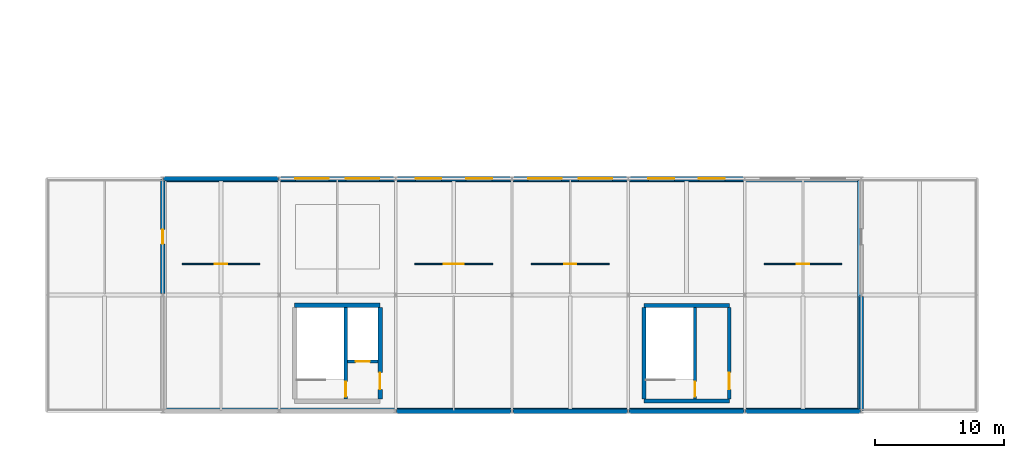
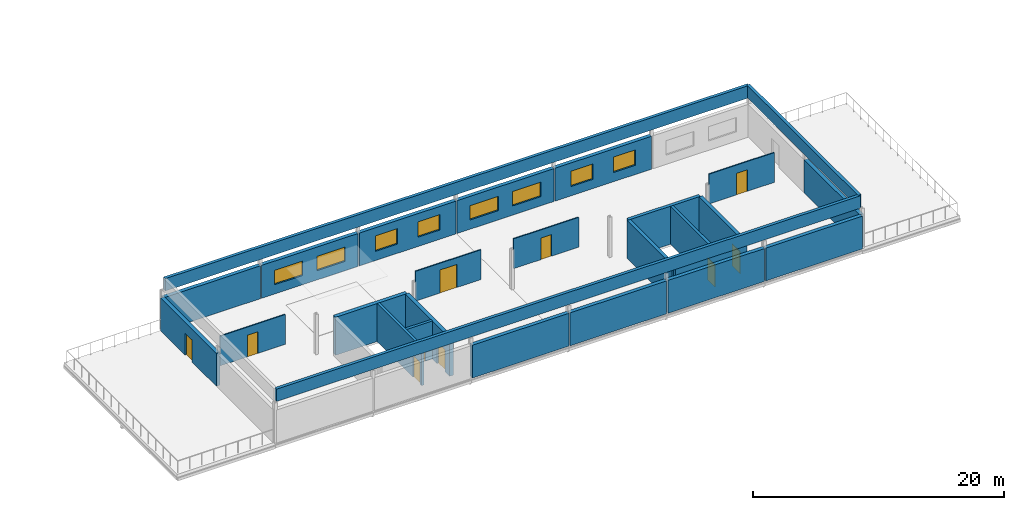
# One storey, part 9 of 18: 27 walls, 10 doors, 8 windows, 18 openings.
"""IFC4 building model written with IfcOpenShell, lengths in metres."""

from ifc_helpers import new_model, si_unit, direction, frame, frame_2d, origin, place, context, subcontext, project, spatial, rectangle, extrude, material, layer, layer_set, type_object, element, fill, save


model = new_model("IFC4")

# Units and contexts
model_context = context("Model", 3, precision=1e-05, world=origin(), true_north=direction((0.0, 1.0)))
body_context = subcontext(model_context, "Body", "Model", "MODEL_VIEW")
ifc_project = project(units=[si_unit("LENGTHUNIT", "METRE"), si_unit("AREAUNIT", "SQUARE_METRE"), si_unit("VOLUMEUNIT", "CUBIC_METRE"), si_unit("PLANEANGLEUNIT", "RADIAN"), si_unit("MASSUNIT", "GRAM", prefix="KILO")], contexts=[model_context])

# Site, building, storey
site_placement = place(None, origin())
site = spatial("IfcSite", under=ifc_project, at=site_placement, CompositionType="ELEMENT")
building_placement = place(site_placement, origin())
building = spatial("IfcBuilding", under=site, at=building_placement, Name="Kildeholm Park Wholesale Market", CompositionType="ELEMENT")
storey_placement = place(building_placement, frame((0.0, 0.0, 13.5)))
storey = spatial("IfcBuildingStorey", under=building, at=storey_placement, Name="L03", CompositionType="ELEMENT", Elevation=13.5)

# Walls
ifc_material_1 = material(Name="Precast concrete C40/50 architectural rainscreen wall", Category="concrete")
ifc_layer_1 = layer(ifc_material_1, 0.340087890625)
ifc_layer_set_1 = layer_set([ifc_layer_1], Name="Precast concrete C40/50 architectural rainscreen wall")
wall_type_1 = type_object("IfcWallType", Name="Exterior wall W-EX4 340 mm", PredefinedType="SOLIDWALL", material=ifc_layer_set_1)
for number, where, z_axis, x_axis, name in (
    (1, (36.06005859375, 0.0, 0.0), (0.0, 0.0, 1.0), (1.0, 0.0, 0.0), "Exterior wall V5W-L03-S03.1 WL-0553"),
    (2, (45.06005859375, 0.0, 0.0), (0.0, 0.0, 1.0), (1.0, 0.0, 0.0), "Exterior wall V5W-L03-S04.1 WL-0554"),
    (3, (54.06005859375, 0.0, 0.0), (0.0, 0.0, 1.0), (1.0, 0.0, 0.0), "Exterior wall V5W-L03-S05.1 WL-0555"),
    (4, (63.06005859375, 0.0, 0.0), (0.0, 0.0, 1.0), (1.0, 0.0, 0.0), "Exterior wall V5W-L03-S06.1 WL-0556"),
    (5, (18.06005859375, 18.0, 0.0), (0.0, 0.0, 1.0), (1.0, 0.0, 0.0), "Exterior wall V5W-L03-N.1 WL-0557"),
):
    element("IfcWall", number, at=place(storey_placement, frame(where, z_axis=z_axis, x_axis=x_axis)), inside=storey, type_object=wall_type_1, Name=name, PredefinedType="SOLIDWALL", context=body_context, shape_type="SweptSolid", body=[
        extrude(rectangle(XDim=8.8798828125, YDim=0.340087890625, at=frame_2d((4.43994140625, 0.0))), origin(), (0.0, 0.0, 1.0), 3.199951171875),
    ])

# Wall, openings, windows
wall_1_placement = place(storey_placement, frame((27.06005859375, 18.0, 0.0), z_axis=(0.0, 0.0, 1.0), x_axis=(1.0, 0.0, 0.0)))
wall_1 = element("IfcWall", 6, at=wall_1_placement, inside=storey, type_object=wall_type_1, Name="Exterior wall V5W-L03-N.2 WL-0558", PredefinedType="SOLIDWALL", context=body_context, shape_type="SweptSolid", body=[
    extrude(rectangle(XDim=8.8798828125, YDim=0.340087890625, at=frame_2d((4.43994140625, 0.0))), origin(), (0.0, 0.0, 1.0), 3.199951171875),
])
opening_1_placement = place(wall_1_placement, frame((1.18603515625, 0.0, 0.89990234375)))
opening_1 = element("IfcOpeningElement", 7, at=opening_1_placement, cuts=wall_1, Name="Opening WN-13", PredefinedType="OPENING", context=body_context, shape_type="SweptSolid", body=[
    extrude(rectangle(XDim=2.60009765625, YDim=1.39990234375, at=frame_2d((1.300048828125, 0.699951171875))), frame((0.0, 0.179931640625, 0.0), z_axis=(0.0, -1.0, 0.0), x_axis=(1.0, 0.0, 0.0)), (0.0, 0.0, 1.0), 0.360107421875),
])
opening_2_placement = place(wall_1_placement, frame((5.093994140625, 0.0, 0.89990234375)))
opening_2 = element("IfcOpeningElement", 8, at=opening_2_placement, cuts=wall_1, Name="Opening WN-13", PredefinedType="OPENING", context=body_context, shape_type="SweptSolid", body=[
    extrude(rectangle(XDim=2.60009765625, YDim=1.39990234375, at=frame_2d((1.300048828125, 0.699951171875))), frame((0.0, 0.179931640625, 0.0), z_axis=(0.0, -1.0, 0.0), x_axis=(1.0, 0.0, 0.0)), (0.0, 0.0, 1.0), 0.360107421875),
])
ifc_material_2 = material(Name="Thermally broken aluminium and triple-glazed low-E glass", Category="aluminium")
window_type_1 = type_object("IfcWindowType", Name="Window WN-13 2600x1400", PartitioningType="TRIPLE_PANEL_VERTICAL", PredefinedType="WINDOW", material=ifc_material_2)
window_1_placement = place(opening_1_placement, origin())
window_1 = element("IfcWindow", 9, at=window_1_placement, inside=storey, type_object=window_type_1, Name="Window V5W-L03-N.2.1 WIN-0339", OverallHeight=1.39990234375, OverallWidth=2.60009765625, PartitioningType="SINGLE_PANEL", PredefinedType="WINDOW", context=body_context, shape_type="SweptSolid", body=[
    extrude(rectangle(XDim=2.60009765625, YDim=1.39990234375, at=frame_2d((1.300048828125, 0.699951171875))), frame((0.0, 0.030029296875, 0.0), z_axis=(0.0, -1.0, 0.0), x_axis=(1.0, 0.0, 0.0)), (0.0, 0.0, 1.0), 0.06005859375),
])
fill(opening_1, window_1)
window_2_placement = place(opening_2_placement, origin())
window_2 = element("IfcWindow", 10, at=window_2_placement, inside=storey, type_object=window_type_1, Name="Window V5W-L03-N.2.2 WIN-0340", OverallHeight=1.39990234375, OverallWidth=2.60009765625, PartitioningType="SINGLE_PANEL", PredefinedType="WINDOW", context=body_context, shape_type="SweptSolid", body=[
    extrude(rectangle(XDim=2.60009765625, YDim=1.39990234375, at=frame_2d((1.300048828125, 0.699951171875))), frame((0.0, 0.030029296875, 0.0), z_axis=(0.0, -1.0, 0.0), x_axis=(1.0, 0.0, 0.0)), (0.0, 0.0, 1.0), 0.06005859375),
])
fill(opening_2, window_2)

wall_2_placement = place(storey_placement, frame((36.06005859375, 18.0, 0.0), z_axis=(0.0, 0.0, 1.0), x_axis=(1.0, 0.0, 0.0)))
wall_2 = element("IfcWall", 11, at=wall_2_placement, inside=storey, type_object=wall_type_1, Name="Exterior wall V5W-L03-N.3 WL-0559", PredefinedType="SOLIDWALL", context=body_context, shape_type="SweptSolid", body=[
    extrude(rectangle(XDim=8.8798828125, YDim=0.340087890625, at=frame_2d((4.43994140625, 0.0))), origin(), (0.0, 0.0, 1.0), 3.199951171875),
])
opening_3_placement = place(wall_2_placement, frame((1.486083984375, 0.0, 0.89990234375)))
opening_3 = element("IfcOpeningElement", 12, at=opening_3_placement, cuts=wall_2, Name="Opening WN-12", PredefinedType="OPENING", context=body_context, shape_type="SweptSolid", body=[
    extrude(rectangle(XDim=2.0, YDim=1.5, at=frame_2d((1.0, 0.75))), frame((0.0, 0.179931640625, 0.0), z_axis=(0.0, -1.0, 0.0), x_axis=(1.0, 0.0, 0.0)), (0.0, 0.0, 1.0), 0.360107421875),
])
opening_4_placement = place(wall_2_placement, frame((5.39404296875, 0.0, 0.89990234375)))
opening_4 = element("IfcOpeningElement", 13, at=opening_4_placement, cuts=wall_2, Name="Opening WN-12", PredefinedType="OPENING", context=body_context, shape_type="SweptSolid", body=[
    extrude(rectangle(XDim=2.0, YDim=1.5, at=frame_2d((1.0, 0.75))), frame((0.0, 0.179931640625, 0.0), z_axis=(0.0, -1.0, 0.0), x_axis=(1.0, 0.0, 0.0)), (0.0, 0.0, 1.0), 0.360107421875),
])
window_type_2 = type_object("IfcWindowType", Name="Window WN-12 2000x1500", PartitioningType="DOUBLE_PANEL_VERTICAL", PredefinedType="WINDOW", material=ifc_material_2)
window_3_placement = place(opening_3_placement, origin())
window_3 = element("IfcWindow", 14, at=window_3_placement, inside=storey, type_object=window_type_2, Name="Window V5W-L03-N.3.1 WIN-0341", OverallHeight=1.5, OverallWidth=2.0, PartitioningType="SINGLE_PANEL", PredefinedType="WINDOW", context=body_context, shape_type="SweptSolid", body=[
    extrude(rectangle(XDim=2.0, YDim=1.5, at=frame_2d((1.0, 0.75))), frame((0.0, 0.030029296875, 0.0), z_axis=(0.0, -1.0, 0.0), x_axis=(1.0, 0.0, 0.0)), (0.0, 0.0, 1.0), 0.06005859375),
])
fill(opening_3, window_3)
window_4_placement = place(opening_4_placement, origin())
window_4 = element("IfcWindow", 15, at=window_4_placement, inside=storey, type_object=window_type_2, Name="Window V5W-L03-N.3.2 WIN-0342", OverallHeight=1.5, OverallWidth=2.0, PartitioningType="SINGLE_PANEL", PredefinedType="WINDOW", context=body_context, shape_type="SweptSolid", body=[
    extrude(rectangle(XDim=2.0, YDim=1.5, at=frame_2d((1.0, 0.75))), frame((0.0, 0.030029296875, 0.0), z_axis=(0.0, -1.0, 0.0), x_axis=(1.0, 0.0, 0.0)), (0.0, 0.0, 1.0), 0.06005859375),
])
fill(opening_4, window_4)

wall_3_placement = place(storey_placement, frame((45.06005859375, 18.0, 0.0), z_axis=(0.0, 0.0, 1.0), x_axis=(1.0, 0.0, 0.0)))
wall_3 = element("IfcWall", 16, at=wall_3_placement, inside=storey, type_object=wall_type_1, Name="Exterior wall V5W-L03-N.4 WL-0560", PredefinedType="SOLIDWALL", context=body_context, shape_type="SweptSolid", body=[
    extrude(rectangle(XDim=8.8798828125, YDim=0.340087890625, at=frame_2d((4.43994140625, 0.0))), origin(), (0.0, 0.0, 1.0), 3.199951171875),
])
opening_5_placement = place(wall_3_placement, frame((1.18603515625, 0.0, 0.89990234375)))
opening_5 = element("IfcOpeningElement", 17, at=opening_5_placement, cuts=wall_3, Name="Opening WN-13", PredefinedType="OPENING", context=body_context, shape_type="SweptSolid", body=[
    extrude(rectangle(XDim=2.60009765625, YDim=1.39990234375, at=frame_2d((1.300048828125, 0.699951171875))), frame((0.0, 0.179931640625, 0.0), z_axis=(0.0, -1.0, 0.0), x_axis=(1.0, 0.0, 0.0)), (0.0, 0.0, 1.0), 0.360107421875),
])
opening_6_placement = place(wall_3_placement, frame((5.093994140625, 0.0, 0.89990234375)))
opening_6 = element("IfcOpeningElement", 18, at=opening_6_placement, cuts=wall_3, Name="Opening WN-13", PredefinedType="OPENING", context=body_context, shape_type="SweptSolid", body=[
    extrude(rectangle(XDim=2.60009765625, YDim=1.39990234375, at=frame_2d((1.300048828125, 0.699951171875))), frame((0.0, 0.179931640625, 0.0), z_axis=(0.0, -1.0, 0.0), x_axis=(1.0, 0.0, 0.0)), (0.0, 0.0, 1.0), 0.360107421875),
])
window_5_placement = place(opening_5_placement, origin())
window_5 = element("IfcWindow", 19, at=window_5_placement, inside=storey, type_object=window_type_1, Name="Window V5W-L03-N.4.1 WIN-0343", OverallHeight=1.39990234375, OverallWidth=2.60009765625, PartitioningType="SINGLE_PANEL", PredefinedType="WINDOW", context=body_context, shape_type="SweptSolid", body=[
    extrude(rectangle(XDim=2.60009765625, YDim=1.39990234375, at=frame_2d((1.300048828125, 0.699951171875))), frame((0.0, 0.030029296875, 0.0), z_axis=(0.0, -1.0, 0.0), x_axis=(1.0, 0.0, 0.0)), (0.0, 0.0, 1.0), 0.06005859375),
])
fill(opening_5, window_5)
window_6_placement = place(opening_6_placement, origin())
window_6 = element("IfcWindow", 20, at=window_6_placement, inside=storey, type_object=window_type_1, Name="Window V5W-L03-N.4.2 WIN-0344", OverallHeight=1.39990234375, OverallWidth=2.60009765625, PartitioningType="SINGLE_PANEL", PredefinedType="WINDOW", context=body_context, shape_type="SweptSolid", body=[
    extrude(rectangle(XDim=2.60009765625, YDim=1.39990234375, at=frame_2d((1.300048828125, 0.699951171875))), frame((0.0, 0.030029296875, 0.0), z_axis=(0.0, -1.0, 0.0), x_axis=(1.0, 0.0, 0.0)), (0.0, 0.0, 1.0), 0.06005859375),
])
fill(opening_6, window_6)

wall_4_placement = place(storey_placement, frame((54.06005859375, 18.0, 0.0), z_axis=(0.0, 0.0, 1.0), x_axis=(1.0, 0.0, 0.0)))
wall_4 = element("IfcWall", 21, at=wall_4_placement, inside=storey, type_object=wall_type_1, Name="Exterior wall V5W-L03-N.5 WL-0561", PredefinedType="SOLIDWALL", context=body_context, shape_type="SweptSolid", body=[
    extrude(rectangle(XDim=8.8798828125, YDim=0.340087890625, at=frame_2d((4.43994140625, 0.0))), origin(), (0.0, 0.0, 1.0), 3.199951171875),
])
opening_7_placement = place(wall_4_placement, frame((1.486083984375, 0.0, 0.89990234375)))
opening_7 = element("IfcOpeningElement", 22, at=opening_7_placement, cuts=wall_4, Name="Opening WN-12", PredefinedType="OPENING", context=body_context, shape_type="SweptSolid", body=[
    extrude(rectangle(XDim=2.0, YDim=1.5, at=frame_2d((1.0, 0.75))), frame((0.0, 0.179931640625, 0.0), z_axis=(0.0, -1.0, 0.0), x_axis=(1.0, 0.0, 0.0)), (0.0, 0.0, 1.0), 0.360107421875),
])
opening_8_placement = place(wall_4_placement, frame((5.39404296875, 0.0, 0.89990234375)))
opening_8 = element("IfcOpeningElement", 23, at=opening_8_placement, cuts=wall_4, Name="Opening WN-12", PredefinedType="OPENING", context=body_context, shape_type="SweptSolid", body=[
    extrude(rectangle(XDim=2.0, YDim=1.5, at=frame_2d((1.0, 0.75))), frame((0.0, 0.179931640625, 0.0), z_axis=(0.0, -1.0, 0.0), x_axis=(1.0, 0.0, 0.0)), (0.0, 0.0, 1.0), 0.360107421875),
])
window_7_placement = place(opening_7_placement, origin())
window_7 = element("IfcWindow", 24, at=window_7_placement, inside=storey, type_object=window_type_2, Name="Window V5W-L03-N.5.1 WIN-0345", OverallHeight=1.5, OverallWidth=2.0, PartitioningType="SINGLE_PANEL", PredefinedType="WINDOW", context=body_context, shape_type="SweptSolid", body=[
    extrude(rectangle(XDim=2.0, YDim=1.5, at=frame_2d((1.0, 0.75))), frame((0.0, 0.030029296875, 0.0), z_axis=(0.0, -1.0, 0.0), x_axis=(1.0, 0.0, 0.0)), (0.0, 0.0, 1.0), 0.06005859375),
])
fill(opening_7, window_7)
window_8_placement = place(opening_8_placement, origin())
window_8 = element("IfcWindow", 25, at=window_8_placement, inside=storey, type_object=window_type_2, Name="Window V5W-L03-N.5.2 WIN-0346", OverallHeight=1.5, OverallWidth=2.0, PartitioningType="SINGLE_PANEL", PredefinedType="WINDOW", context=body_context, shape_type="SweptSolid", body=[
    extrude(rectangle(XDim=2.0, YDim=1.5, at=frame_2d((1.0, 0.75))), frame((0.0, 0.030029296875, 0.0), z_axis=(0.0, -1.0, 0.0), x_axis=(1.0, 0.0, 0.0)), (0.0, 0.0, 1.0), 0.06005859375),
])
fill(opening_8, window_8)

# Wall, opening, door
wall_5_placement = place(storey_placement, frame((18.0, 9.06005859375, 0.0), z_axis=(0.0, 0.0, 1.0), x_axis=(0.0, 1.0, 0.0)))
wall_5 = element("IfcWall", 26, at=wall_5_placement, inside=storey, type_object=wall_type_1, Name="Exterior wall V5W-L03-W.2 WL-0564", PredefinedType="SOLIDWALL", context=body_context, shape_type="SweptSolid", body=[
    extrude(rectangle(XDim=8.8798828125, YDim=0.340087890625, at=frame_2d((4.43994140625, 0.0))), origin(), (0.0, 0.0, 1.0), 3.199951171875),
])
opening_9_placement = place(wall_5_placement, frame((3.889892578125, 0.0, 0.0)))
opening_9 = element("IfcOpeningElement", 27, at=opening_9_placement, cuts=wall_5, Name="Opening D-EX06", PredefinedType="OPENING", context=body_context, shape_type="SweptSolid", body=[
    extrude(rectangle(XDim=1.10009765625, YDim=2.14990234375, at=frame_2d((0.550048828125, 1.074951171875))), frame((0.0, 0.179931640625, 0.0), z_axis=(0.0, -1.0, 0.0), x_axis=(1.0, 0.0, 0.0)), (0.0, 0.0, 1.0), 0.360107421875),
])
ifc_material_3 = material(Name="Anodised aluminium terrace doorset", Category="aluminium")
door_type_1 = type_object("IfcDoorType", Name="Exterior door D-EX06 1100x2150", OperationType="NOTDEFINED", PredefinedType="DOOR", material=ifc_material_3)
door_1_placement = place(opening_9_placement, origin())
door_1 = element("IfcDoor", 28, at=door_1_placement, inside=storey, type_object=door_type_1, Name="Door V5W-L03-W.2 DR-0059 WL-0564", OperationType="SINGLE_SWING_LEFT", OverallHeight=2.14990234375, OverallWidth=1.10009765625, PredefinedType="DOOR", context=body_context, shape_type="SweptSolid", body=[
    extrude(rectangle(XDim=1.10009765625, YDim=2.14990234375, at=frame_2d((0.550048828125, 1.074951171875))), frame((0.0, 0.02490234375, 0.0), z_axis=(0.0, -1.0, 0.0), x_axis=(1.0, 0.0, 0.0)), (0.0, 0.0, 1.0), 0.050048828125),
])
fill(opening_9, door_1)

# Walls
wall_6_placement = place(storey_placement, frame((72.0, 0.06005859375, 0.0), z_axis=(0.0, 0.0, 1.0), x_axis=(0.0, 1.0, 0.0)))
element("IfcWall", 29, at=wall_6_placement, inside=storey, type_object=wall_type_1, Name="Exterior wall V5W-L03-E.1 WL-0565", PredefinedType="SOLIDWALL", context=body_context, shape_type="SweptSolid", body=[
    extrude(rectangle(XDim=8.8798828125, YDim=0.340087890625, at=frame_2d((4.43994140625, 0.0))), origin(), (0.0, 0.0, 1.0), 3.199951171875),
])
ifc_material_4 = material(Name="Red Danish clinker brick masonry parapet", Category="masonry")
ifc_layer_2 = layer(ifc_material_4, 0.280029296875)
ifc_layer_set_2 = layer_set([ifc_layer_2], Name="Red Danish clinker brick masonry parapet")
wall_type_2 = type_object("IfcWallType", Name="Exterior wall W-PR2 280 mm", PredefinedType="PARAPET", material=ifc_layer_set_2)
for number, where, z_axis, x_axis, name in (
    (30, (18.139892578125, 0.139892578125, 3.89990234375), (0.0, 0.0, 1.0), (1.0, 0.0, 0.0), "V5W roof parapet S WL-0567"),
    (31, (18.139892578125, 17.860107421875, 3.89990234375), (0.0, 0.0, 1.0), (1.0, 0.0, 0.0), "V5W roof parapet N WL-0568"),
):
    element("IfcWall", number, at=place(storey_placement, frame(where, z_axis=z_axis, x_axis=x_axis)), inside=storey, type_object=wall_type_2, Name=name, PredefinedType="PARAPET", context=body_context, shape_type="SweptSolid", body=[
        extrude(rectangle(XDim=53.72021484375, YDim=0.280029296875, at=frame_2d((26.860107421875, 0.0))), origin(), (0.0, 0.0, 1.0), 1.2001953125),
    ])
wall_7_placement = place(storey_placement, frame((71.860107421875, 0.139892578125, 3.89990234375), z_axis=(0.0, 0.0, 1.0), x_axis=(0.0, 1.0, 0.0)))
element("IfcWall", 32, at=wall_7_placement, inside=storey, type_object=wall_type_2, Name="V5W roof parapet E WL-0570", PredefinedType="PARAPET", context=body_context, shape_type="SweptSolid", body=[
    extrude(rectangle(XDim=17.72021484375, YDim=0.280029296875, at=frame_2d((8.860107421875, 0.0))), origin(), (0.0, 0.0, 1.0), 1.2001953125),
])

# Wall, opening, door
ifc_material_5 = material(Name="Galvanized steel stud and gypsum acoustic partition", Category="steel")
ifc_layer_3 = layer(ifc_material_5, 0.10009765625)
ifc_layer_set_3 = layer_set([ifc_layer_3], Name="Galvanized steel stud and gypsum acoustic partition")
wall_type_3 = type_object("IfcWallType", Name="Partition W-PT01 100 mm", PredefinedType="PARTITIONING", material=ifc_layer_set_3)
wall_8_placement = place(storey_placement, frame((19.5, 11.39990234375, 0.0), z_axis=(0.0, 0.0, 1.0), x_axis=(1.0, 0.0, 0.0)))
wall_8 = element("IfcWall", 33, at=wall_8_placement, inside=storey, type_object=wall_type_3, Name="Interior partition W-V5W-L03-C1 WL-1022", PredefinedType="PARTITIONING", context=body_context, shape_type="SweptSolid", body=[
    extrude(rectangle(XDim=6.0, YDim=0.10009765625, at=frame_2d((3.0, 0.0))), origin(), (0.0, 0.0, 1.0), 2.89990234375),
])
opening_10_placement = place(wall_8_placement, frame((2.52490234375, 0.0, 0.0)))
opening_10 = element("IfcOpeningElement", 34, at=opening_10_placement, cuts=wall_8, Name="Opening D-IN01", PredefinedType="OPENING", context=body_context, shape_type="SweptSolid", body=[
    extrude(rectangle(XDim=0.949951171875, YDim=2.10009765625, at=frame_2d((0.47509765625, 1.050048828125))), frame((0.0, 0.06005859375, 0.0), z_axis=(0.0, -1.0, 0.0), x_axis=(1.0, 0.0, 0.0)), (0.0, 0.0, 1.0), 0.1201171875),
])
ifc_material_6 = material(Name="Solid-core hardwood office doorset", Category="wood")
door_type_2 = type_object("IfcDoorType", Name="Interior door D-IN01 950x2100", OperationType="NOTDEFINED", PredefinedType="DOOR", material=ifc_material_6)
door_2_placement = place(opening_10_placement, origin())
door_2 = element("IfcDoor", 35, at=door_2_placement, inside=storey, type_object=door_type_2, Name="Interior door V5W-L03-C1 DR-0297 WL-1022", OperationType="SINGLE_SWING_LEFT", OverallHeight=2.10009765625, OverallWidth=0.949951171875, PredefinedType="DOOR", context=body_context, shape_type="SweptSolid", body=[
    extrude(rectangle(XDim=0.949951171875, YDim=2.10009765625, at=frame_2d((0.47509765625, 1.050048828125))), frame((0.0, 0.02490234375, 0.0), z_axis=(0.0, -1.0, 0.0), x_axis=(1.0, 0.0, 0.0)), (0.0, 0.0, 1.0), 0.050048828125),
])
fill(opening_10, door_2)

wall_9_placement = place(storey_placement, frame((37.5, 11.39990234375, 0.0), z_axis=(0.0, 0.0, 1.0), x_axis=(1.0, 0.0, 0.0)))
wall_9 = element("IfcWall", 36, at=wall_9_placement, inside=storey, type_object=wall_type_3, Name="Interior partition W-V5W-L03-C3 WL-1023", PredefinedType="PARTITIONING", context=body_context, shape_type="SweptSolid", body=[
    extrude(rectangle(XDim=6.0, YDim=0.10009765625, at=frame_2d((3.0, 0.0))), origin(), (0.0, 0.0, 1.0), 2.89990234375),
])
opening_11_placement = place(wall_9_placement, frame((2.22509765625, 0.0, 0.0)))
opening_11 = element("IfcOpeningElement", 37, at=opening_11_placement, cuts=wall_9, Name="Opening D-IN12", PredefinedType="OPENING", context=body_context, shape_type="SweptSolid", body=[
    extrude(rectangle(XDim=1.550048828125, YDim=2.25, at=frame_2d((0.77490234375, 1.125))), frame((0.0, 0.06005859375, 0.0), z_axis=(0.0, -1.0, 0.0), x_axis=(1.0, 0.0, 0.0)), (0.0, 0.0, 1.0), 0.1201171875),
])
ifc_material_7 = material(Name="Boardroom double-leaf timber doorset", Category="wood")
door_type_3 = type_object("IfcDoorType", Name="Interior door D-IN12 1550x2250", OperationType="NOTDEFINED", PredefinedType="DOOR", material=ifc_material_7)
door_3_placement = place(opening_11_placement, origin())
door_3 = element("IfcDoor", 38, at=door_3_placement, inside=storey, type_object=door_type_3, Name="Interior door V5W-L03-C3 DR-0298 WL-1023", OperationType="SINGLE_SWING_RIGHT", OverallHeight=2.25, OverallWidth=1.550048828125, PredefinedType="DOOR", context=body_context, shape_type="SweptSolid", body=[
    extrude(rectangle(XDim=1.550048828125, YDim=2.25, at=frame_2d((0.77490234375, 1.125))), frame((0.0, 0.02490234375, 0.0), z_axis=(0.0, -1.0, 0.0), x_axis=(1.0, 0.0, 0.0)), (0.0, 0.0, 1.0), 0.050048828125),
])
fill(opening_11, door_3)

wall_10_placement = place(storey_placement, frame((46.5, 11.39990234375, 0.0), z_axis=(0.0, 0.0, 1.0), x_axis=(1.0, 0.0, 0.0)))
wall_10 = element("IfcWall", 39, at=wall_10_placement, inside=storey, type_object=wall_type_3, Name="Interior partition W-V5W-L03-C4 WL-1024", PredefinedType="PARTITIONING", context=body_context, shape_type="SweptSolid", body=[
    extrude(rectangle(XDim=6.0, YDim=0.10009765625, at=frame_2d((3.0, 0.0))), origin(), (0.0, 0.0, 1.0), 2.89990234375),
])
opening_12_placement = place(wall_10_placement, frame((2.52490234375, 0.0, 0.0)))
opening_12 = element("IfcOpeningElement", 40, at=opening_12_placement, cuts=wall_10, Name="Opening D-IN01", PredefinedType="OPENING", context=body_context, shape_type="SweptSolid", body=[
    extrude(rectangle(XDim=0.949951171875, YDim=2.10009765625, at=frame_2d((0.47509765625, 1.050048828125))), frame((0.0, 0.06005859375, 0.0), z_axis=(0.0, -1.0, 0.0), x_axis=(1.0, 0.0, 0.0)), (0.0, 0.0, 1.0), 0.1201171875),
])
door_4_placement = place(opening_12_placement, origin())
door_4 = element("IfcDoor", 41, at=door_4_placement, inside=storey, type_object=door_type_2, Name="Interior door V5W-L03-C4 DR-0299 WL-1024", OperationType="SINGLE_SWING_LEFT", OverallHeight=2.10009765625, OverallWidth=0.949951171875, PredefinedType="DOOR", context=body_context, shape_type="SweptSolid", body=[
    extrude(rectangle(XDim=0.949951171875, YDim=2.10009765625, at=frame_2d((0.47509765625, 1.050048828125))), frame((0.0, 0.02490234375, 0.0), z_axis=(0.0, -1.0, 0.0), x_axis=(1.0, 0.0, 0.0)), (0.0, 0.0, 1.0), 0.050048828125),
])
fill(opening_12, door_4)

wall_11_placement = place(storey_placement, frame((64.5, 11.39990234375, 0.0), z_axis=(0.0, 0.0, 1.0), x_axis=(1.0, 0.0, 0.0)))
wall_11 = element("IfcWall", 42, at=wall_11_placement, inside=storey, type_object=wall_type_3, Name="Interior partition W-V5W-L03-C6 WL-1025", PredefinedType="PARTITIONING", context=body_context, shape_type="SweptSolid", body=[
    extrude(rectangle(XDim=6.0, YDim=0.10009765625, at=frame_2d((3.0, 0.0))), origin(), (0.0, 0.0, 1.0), 2.89990234375),
])
opening_13_placement = place(wall_11_placement, frame((2.5, 0.0, 0.0)))
opening_13 = element("IfcOpeningElement", 43, at=opening_13_placement, cuts=wall_11, Name="Opening D-IN02", PredefinedType="OPENING", context=body_context, shape_type="SweptSolid", body=[
    extrude(rectangle(XDim=1.0, YDim=2.10009765625, at=frame_2d((0.5, 1.050048828125))), frame((0.0, 0.06005859375, 0.0), z_axis=(0.0, -1.0, 0.0), x_axis=(1.0, 0.0, 0.0)), (0.0, 0.0, 1.0), 0.1201171875),
])
ifc_material_8 = material(Name="Hygienic laminate accessible WC doorset")
door_type_4 = type_object("IfcDoorType", Name="Interior door D-IN02 1000x2100", OperationType="NOTDEFINED", PredefinedType="DOOR", material=ifc_material_8)
door_5_placement = place(opening_13_placement, origin())
door_5 = element("IfcDoor", 44, at=door_5_placement, inside=storey, type_object=door_type_4, Name="Interior door V5W-L03-C6 DR-0300 WL-1025", OperationType="SINGLE_SWING_RIGHT", OverallHeight=2.10009765625, OverallWidth=1.0, PredefinedType="DOOR", context=body_context, shape_type="SweptSolid", body=[
    extrude(rectangle(XDim=1.0, YDim=2.10009765625, at=frame_2d((0.5, 1.050048828125))), frame((0.0, 0.02490234375, 0.0), z_axis=(0.0, -1.0, 0.0), x_axis=(1.0, 0.0, 0.0)), (0.0, 0.0, 1.0), 0.050048828125),
])
fill(opening_13, door_5)

# Walls
ifc_material_9 = material(Name="Concrete C40/50", Category="concrete")
ifc_layer_4 = layer(ifc_material_9, 0.300048828125)
ifc_layer_set_4 = layer_set([ifc_layer_4], Name="Concrete C40/50")
wall_type_4 = type_object("IfcWallType", Name="Shear wall W-SH1 300 mm", PredefinedType="SHEAR", material=ifc_layer_set_4)
for number, where, z_axis, x_axis, name in (
    (45, (55.199951171875, 0.800048828125, 0.0), (0.0, 0.0, 1.0), (1.0, 0.0, 0.0), "Core C05 south shear wall L03 WL-0743"),
    (46, (55.199951171875, 8.199951171875, 0.0), (0.0, 0.0, 1.0), (1.0, 0.0, 0.0), "Core C05 north shear wall L03 WL-0744"),
):
    element("IfcWall", number, at=place(storey_placement, frame(where, z_axis=z_axis, x_axis=x_axis)), inside=storey, type_object=wall_type_4, Name=name, PredefinedType="SHEAR", context=body_context, shape_type="SweptSolid", body=[
        extrude(rectangle(XDim=6.60009765625, YDim=0.300048828125, at=frame_2d((3.300048828125, 0.0))), origin(), (0.0, 0.0, 1.0), 3.699951171875),
    ])
wall_12_placement = place(storey_placement, frame((55.199951171875, 0.949951171875, 0.0), z_axis=(0.0, 0.0, 1.0), x_axis=(0.0, 1.0, 0.0)))
element("IfcWall", 47, at=wall_12_placement, inside=storey, type_object=wall_type_4, Name="Core C05 west shear wall L03 WL-0745", PredefinedType="SHEAR", context=body_context, shape_type="SweptSolid", body=[
    extrude(rectangle(XDim=7.10009765625, YDim=0.300048828125, at=frame_2d((3.550048828125, 0.0))), origin(), (0.0, 0.0, 1.0), 3.699951171875),
])

# Wall, opening, door
wall_13_placement = place(storey_placement, frame((61.800048828125, 0.949951171875, 0.0), z_axis=(0.0, 0.0, 1.0), x_axis=(0.0, 1.0, 0.0)))
wall_13 = element("IfcWall", 48, at=wall_13_placement, inside=storey, type_object=wall_type_4, Name="Core C05 east shear wall L03 WL-0746", PredefinedType="SHEAR", context=body_context, shape_type="SweptSolid", body=[
    extrude(rectangle(XDim=7.10009765625, YDim=0.300048828125, at=frame_2d((3.550048828125, 0.0))), origin(), (0.0, 0.0, 1.0), 3.699951171875),
])
opening_14_placement = place(wall_13_placement, frame((0.75, 0.0, 0.0)))
opening_14 = element("IfcOpeningElement", 49, at=opening_14_placement, cuts=wall_13, Name="Opening D-CR02", PredefinedType="OPENING", context=body_context, shape_type="SweptSolid", body=[
    extrude(rectangle(XDim=1.300048828125, YDim=2.14990234375, at=frame_2d((0.64990234375, 1.074951171875))), frame((0.0, 0.159912109375, 0.0), z_axis=(0.0, -1.0, 0.0), x_axis=(1.0, 0.0, 0.0)), (0.0, 0.0, 1.0), 0.320068359375),
])
ifc_material_10 = material(Name="Painted steel core lobby double-leaf doorset", Category="steel")
door_type_5 = type_object("IfcDoorType", Name="Interior door D-CR02 1300x2150", OperationType="NOTDEFINED", PredefinedType="DOOR", material=ifc_material_10)
door_6_placement = place(opening_14_placement, frame((1.300048828125, 0.0, 0.0), z_axis=(0.0, 0.0, 1.0), x_axis=(-1.0, 0.0, 0.0)))
door_6 = element("IfcDoor", 50, at=door_6_placement, inside=storey, type_object=door_type_5, Name="Core C05 lobby entrance door L03 DR-0122 WL-0746", OperationType="DOUBLE_DOOR_SINGLE_SWING", OverallHeight=2.14990234375, OverallWidth=1.300048828125, PredefinedType="DOOR", context=body_context, shape_type="SweptSolid", body=[
    extrude(rectangle(XDim=1.300048828125, YDim=2.14990234375, at=frame_2d((0.64990234375, 1.074951171875))), frame((0.0, 0.02490234375, 0.0), z_axis=(0.0, -1.0, 0.0), x_axis=(1.0, 0.0, 0.0)), (0.0, 0.0, 1.0), 0.050048828125),
])
fill(opening_14, door_6)

ifc_layer_5 = layer(ifc_material_9, 0.25)
ifc_layer_set_5 = layer_set([ifc_layer_5], Name="Concrete C40/50")
wall_type_5 = type_object("IfcWallType", Name="Shear wall W-SH2 250 mm", PredefinedType="SHEAR", material=ifc_layer_set_5)
wall_14_placement = place(storey_placement, frame((32.14990234375, 0.949951171875, 0.0), z_axis=(0.0, 0.0, 1.0), x_axis=(0.0, 1.0, 0.0)))
wall_14 = element("IfcWall", 51, at=wall_14_placement, inside=storey, type_object=wall_type_5, Name="Core C04 shaft wall L03 WL-0726", PredefinedType="SHEAR", context=body_context, shape_type="SweptSolid", body=[
    extrude(rectangle(XDim=7.10009765625, YDim=0.25, at=frame_2d((3.550048828125, 0.0))), origin(), (0.0, 0.0, 1.0), 3.699951171875),
])
opening_15_placement = place(wall_14_placement, frame((0.199951171875, 0.0, 0.0)))
opening_15 = element("IfcOpeningElement", 52, at=opening_15_placement, cuts=wall_14, Name="Opening D-CR01", PredefinedType="OPENING", context=body_context, shape_type="SweptSolid", body=[
    extrude(rectangle(XDim=1.14990234375, YDim=2.14990234375, at=frame_2d((0.574951171875, 1.074951171875))), frame((0.0, 0.135009765625, 0.0), z_axis=(0.0, -1.0, 0.0), x_axis=(1.0, 0.0, 0.0)), (0.0, 0.0, 1.0), 0.27001953125),
])
ifc_material_11 = material(Name="Painted steel fire escape doorset", Category="steel")
door_type_6 = type_object("IfcDoorType", Name="Interior door D-CR01 1150x2150", OperationType="NOTDEFINED", PredefinedType="DOOR", material=ifc_material_11)
door_7_placement = place(opening_15_placement, frame((1.14990234375, 0.0, 0.0), z_axis=(0.0, 0.0, 1.0), x_axis=(-1.0, 0.0, 0.0)))
door_7 = element("IfcDoor", 53, at=door_7_placement, inside=storey, type_object=door_type_6, Name="Core C04 stair fire door L03 DR-0113 WL-0726", OperationType="SINGLE_SWING_RIGHT", OverallHeight=2.14990234375, OverallWidth=1.14990234375, PredefinedType="DOOR", context=body_context, shape_type="SweptSolid", body=[
    extrude(rectangle(XDim=1.14990234375, YDim=2.14990234375, at=frame_2d((0.574951171875, 1.074951171875))), frame((0.0, 0.02490234375, 0.0), z_axis=(0.0, -1.0, 0.0), x_axis=(1.0, 0.0, 0.0)), (0.0, 0.0, 1.0), 0.050048828125),
])
fill(opening_15, door_7)

wall_15_placement = place(storey_placement, frame((32.27001953125, 3.85009765625, 0.0), z_axis=(0.0, 0.0, 1.0), x_axis=(1.0, 0.0, 0.0)))
wall_15 = element("IfcWall", 54, at=wall_15_placement, inside=storey, type_object=wall_type_5, Name="Lift LF-01 shaft front wall L03 WL-0727", PredefinedType="SHEAR", context=body_context, shape_type="SweptSolid", body=[
    extrude(rectangle(XDim=2.3798828125, YDim=0.25, at=frame_2d((1.18994140625, 0.0))), origin(), (0.0, 0.0, 1.0), 3.699951171875),
])
opening_16_placement = place(wall_15_placement, frame((0.639892578125, 0.0, 0.0)))
opening_16 = element("IfcOpeningElement", 55, at=opening_16_placement, cuts=wall_15, Name="Opening LD-01", PredefinedType="OPENING", context=body_context, shape_type="SweptSolid", body=[
    extrude(rectangle(XDim=1.10009765625, YDim=2.14990234375, at=frame_2d((0.550048828125, 1.074951171875))), frame((0.0, 0.135009765625, 0.0), z_axis=(0.0, -1.0, 0.0), x_axis=(1.0, 0.0, 0.0)), (0.0, 0.0, 1.0), 0.27001953125),
])
ifc_material_12 = material(Name="Stainless steel AISI 316 passenger lift landing door", Category="steel")
door_type_7 = type_object("IfcDoorType", Name="Interior door D-LD01 1100x2150", OperationType="NOTDEFINED", PredefinedType="DOOR", material=ifc_material_12)
door_8_placement = place(opening_16_placement, origin())
door_8 = element("IfcDoor", 56, at=door_8_placement, inside=storey, type_object=door_type_7, Name="Lift LF-01 sliding landing door L03 DR-0114 WL-0727", OperationType="SLIDING_TO_LEFT", OverallHeight=2.14990234375, OverallWidth=1.10009765625, PredefinedType="DOOR", context=body_context, shape_type="SweptSolid", body=[
    extrude(rectangle(XDim=1.10009765625, YDim=2.14990234375, at=frame_2d((0.550048828125, 1.074951171875))), frame((0.0, 0.02490234375, 0.0), z_axis=(0.0, -1.0, 0.0), x_axis=(1.0, 0.0, 0.0)), (0.0, 0.0, 1.0), 0.050048828125),
])
fill(opening_16, door_8)

wall_16_placement = place(storey_placement, frame((59.14990234375, 0.949951171875, 0.0), z_axis=(0.0, 0.0, 1.0), x_axis=(0.0, 1.0, 0.0)))
wall_16 = element("IfcWall", 57, at=wall_16_placement, inside=storey, type_object=wall_type_5, Name="Core C05 shaft wall L03 WL-0747", PredefinedType="SHEAR", context=body_context, shape_type="SweptSolid", body=[
    extrude(rectangle(XDim=7.10009765625, YDim=0.25, at=frame_2d((3.550048828125, 0.0))), origin(), (0.0, 0.0, 1.0), 3.699951171875),
])
opening_17_placement = place(wall_16_placement, frame((0.199951171875, 0.0, 0.0)))
opening_17 = element("IfcOpeningElement", 58, at=opening_17_placement, cuts=wall_16, Name="Opening D-CR01", PredefinedType="OPENING", context=body_context, shape_type="SweptSolid", body=[
    extrude(rectangle(XDim=1.14990234375, YDim=2.14990234375, at=frame_2d((0.574951171875, 1.074951171875))), frame((0.0, 0.135009765625, 0.0), z_axis=(0.0, -1.0, 0.0), x_axis=(1.0, 0.0, 0.0)), (0.0, 0.0, 1.0), 0.27001953125),
])
door_9_placement = place(opening_17_placement, frame((1.14990234375, 0.0, 0.0), z_axis=(0.0, 0.0, 1.0), x_axis=(-1.0, 0.0, 0.0)))
door_9 = element("IfcDoor", 59, at=door_9_placement, inside=storey, type_object=door_type_6, Name="Core C05 stair fire door L03 DR-0123 WL-0747", OperationType="SINGLE_SWING_RIGHT", OverallHeight=2.14990234375, OverallWidth=1.14990234375, PredefinedType="DOOR", context=body_context, shape_type="SweptSolid", body=[
    extrude(rectangle(XDim=1.14990234375, YDim=2.14990234375, at=frame_2d((0.574951171875, 1.074951171875))), frame((0.0, 0.02490234375, 0.0), z_axis=(0.0, -1.0, 0.0), x_axis=(1.0, 0.0, 0.0)), (0.0, 0.0, 1.0), 0.050048828125),
])
fill(opening_17, door_9)

# Wall
ifc_layer_6 = layer(ifc_material_9, 0.35009765625)
ifc_layer_set_6 = layer_set([ifc_layer_6], Name="Concrete C40/50")
wall_type_6 = type_object("IfcWallType", Name="Shear wall W-SH3 350 mm", PredefinedType="SHEAR", material=ifc_layer_set_6)
wall_17_placement = place(storey_placement, frame((28.199951171875, 8.199951171875, 0.0), z_axis=(0.0, 0.0, 1.0), x_axis=(1.0, 0.0, 0.0)))
element("IfcWall", 60, at=wall_17_placement, inside=storey, type_object=wall_type_6, Name="Core C04 north shear wall L03 WL-0723", PredefinedType="SHEAR", context=body_context, shape_type="SweptSolid", body=[
    extrude(rectangle(XDim=6.60009765625, YDim=0.35009765625, at=frame_2d((3.300048828125, 0.0))), origin(), (0.0, 0.0, 1.0), 3.699951171875),
])

# Wall, opening, door
wall_18_placement = place(storey_placement, frame((34.800048828125, 0.949951171875, 0.0), z_axis=(0.0, 0.0, 1.0), x_axis=(0.0, 1.0, 0.0)))
wall_18 = element("IfcWall", 61, at=wall_18_placement, inside=storey, type_object=wall_type_6, Name="Core C04 east shear wall L03 WL-0725", PredefinedType="SHEAR", context=body_context, shape_type="SweptSolid", body=[
    extrude(rectangle(XDim=7.10009765625, YDim=0.35009765625, at=frame_2d((3.550048828125, 0.0))), origin(), (0.0, 0.0, 1.0), 3.699951171875),
])
opening_18_placement = place(wall_18_placement, frame((0.75, 0.0, 0.0)))
opening_18 = element("IfcOpeningElement", 62, at=opening_18_placement, cuts=wall_18, Name="Opening D-CR02", PredefinedType="OPENING", context=body_context, shape_type="SweptSolid", body=[
    extrude(rectangle(XDim=1.300048828125, YDim=2.14990234375, at=frame_2d((0.64990234375, 1.074951171875))), frame((0.0, 0.18505859375, 0.0), z_axis=(0.0, -1.0, 0.0), x_axis=(1.0, 0.0, 0.0)), (0.0, 0.0, 1.0), 0.3701171875),
])
door_10_placement = place(opening_18_placement, frame((1.300048828125, 0.0, 0.0), z_axis=(0.0, 0.0, 1.0), x_axis=(-1.0, 0.0, 0.0)))
door_10 = element("IfcDoor", 63, at=door_10_placement, inside=storey, type_object=door_type_5, Name="Core C04 lobby entrance door L03 DR-0112 WL-0725", OperationType="DOUBLE_DOOR_SINGLE_SWING", OverallHeight=2.14990234375, OverallWidth=1.300048828125, PredefinedType="DOOR", context=body_context, shape_type="SweptSolid", body=[
    extrude(rectangle(XDim=1.300048828125, YDim=2.14990234375, at=frame_2d((0.64990234375, 1.074951171875))), frame((0.0, 0.02490234375, 0.0), z_axis=(0.0, -1.0, 0.0), x_axis=(1.0, 0.0, 0.0)), (0.0, 0.0, 1.0), 0.050048828125),
])
fill(opening_18, door_10)

save(model, "model.ifc")
